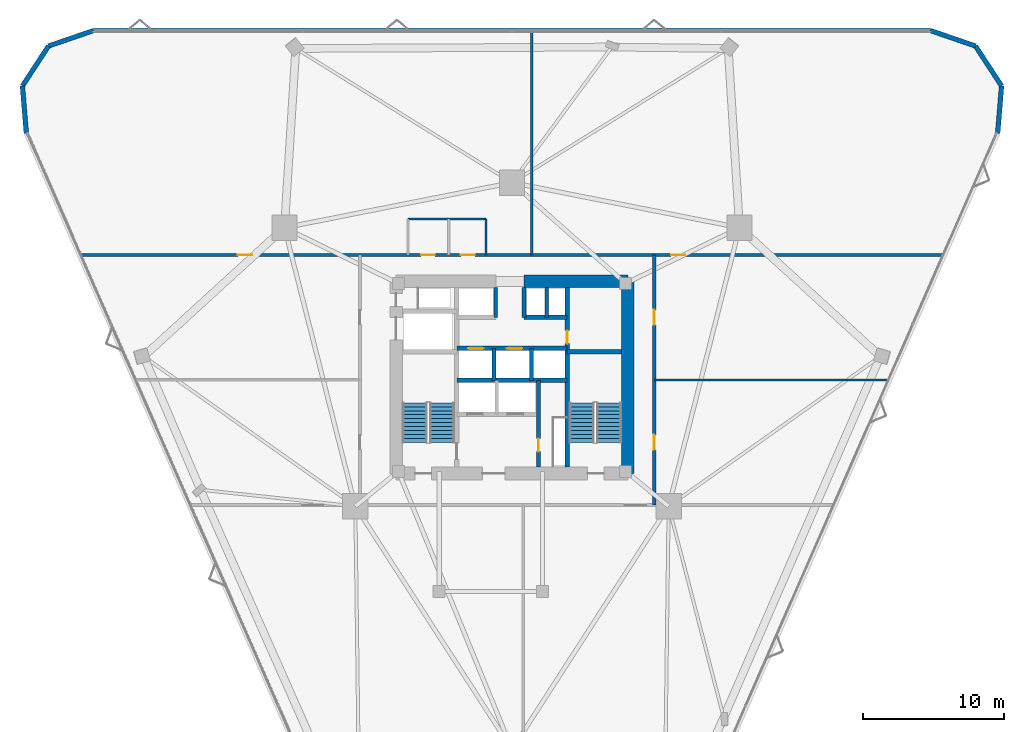
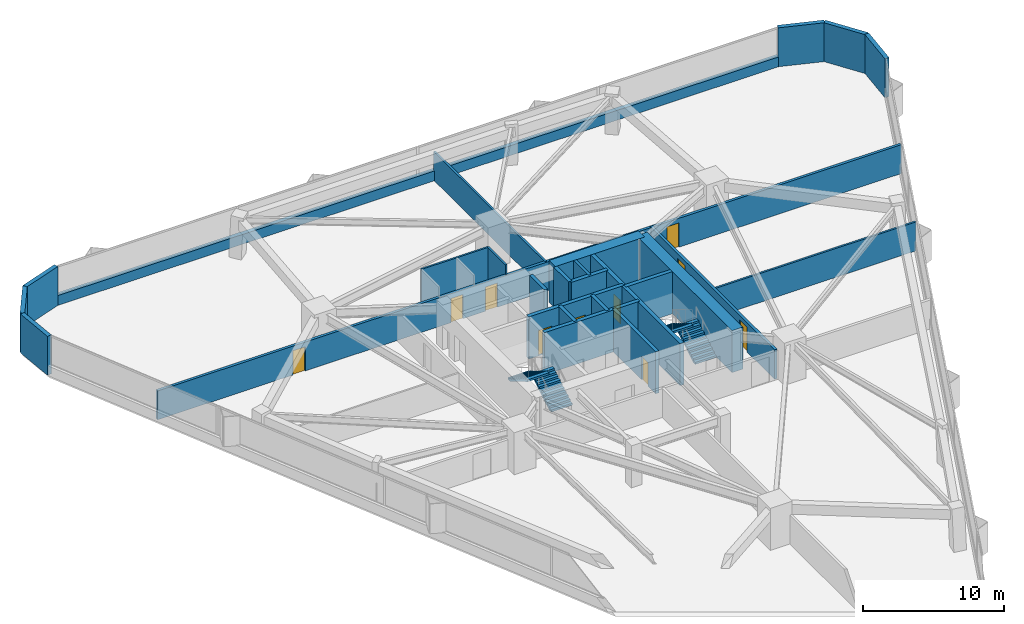
# One storey, part 19 of 20: 26 walls, 10 doors, 4 stair flights, 10 openings, 2 elements without a shape of their own.
"""IFC4 building model written with IfcOpenShell, lengths in metres."""

import ifcopenshell
import ifcopenshell.guid

model = None  # the IFC model being written
_history = None  # IfcOwnerHistory: only IFC2X3 demands one
_inside = {}  # id of a spatial element -> (the spatial element, [elements in it])
_under = {}  # id of a project, library or spatial element -> (it, [spatial elements below it])
_declared = {}  # id of a project -> (the project, [libraries it declares])
_typed = {}  # id of a type object -> (the type object, [elements of that type])
_made_of = {}  # id of a material, layer set ... -> (it, [elements and type objects made of it])


def new_model(schema):
    """Start an empty IFC model of exactly this schema.

    Asked for "IFC4X3", IfcOpenShell would pick the latest addendum, in which some entities
    have other attributes; the version numbers below select the first issue.
    IFC2X3 requires an IfcOwnerHistory on every rooted entity: one is made here for all.
    """
    global model, _history
    if schema == "IFC4X3":
        model = ifcopenshell.file(schema_version=(4, 3, 0, 0))
    else:
        model = ifcopenshell.file(schema=schema)
    _inside.clear()
    _under.clear()
    _declared.clear()
    _typed.clear()
    _made_of.clear()
    _history = None
    if model.schema == "IFC2X3":
        org = make("IfcOrganization", Name="unknown")
        user = make(
            "IfcPersonAndOrganization",
            ThePerson=make("IfcPerson", FamilyName="unknown"),
            TheOrganization=org,
        )
        app = make(
            "IfcApplication",
            ApplicationDeveloper=org,
            Version="unknown",
            ApplicationFullName="unknown",
            ApplicationIdentifier="unknown",
        )
        _history = make(
            "IfcOwnerHistory",
            OwningUser=user,
            OwningApplication=app,
            ChangeAction="ADDED",
            CreationDate=0,
        )
    return model


def make(cls, **values):
    """One entity of the class cls with the attributes given. An attribute that is None is left unset."""
    return model.create_entity(
        cls, **{name: value for name, value in values.items() if value is not None}
    )


def rooted(cls, **values):
    """An entity with a GlobalId (a new one), such as an element, a storey or a relation."""
    return make(cls, GlobalId=ifcopenshell.guid.new(), OwnerHistory=_history, **values)


def si_unit(unit_type, name, prefix=None):
    """IfcSIUnit, for example si_unit("LENGTHUNIT", "METRE", prefix="MILLI")."""
    return make("IfcSIUnit", UnitType=unit_type, Prefix=prefix, Name=name)


def assignment(units):
    """IfcUnitAssignment: the units of a project."""
    return None if units is None else make("IfcUnitAssignment", Units=units)


def point(xyz):
    """IfcCartesianPoint."""
    return None if xyz is None else make("IfcCartesianPoint", Coordinates=xyz)


def direction(xyz):
    """IfcDirection."""
    return None if xyz is None else make("IfcDirection", DirectionRatios=xyz)


def frame(location, z_axis=None, x_axis=None):
    """IfcAxis2Placement3D, a coordinate frame: its origin and axes. An axis left out is left unset."""
    return make(
        "IfcAxis2Placement3D",
        Location=point(location),
        Axis=direction(z_axis),
        RefDirection=direction(x_axis),
    )


def frame_2d(location, x_axis=None):
    """IfcAxis2Placement2D, a coordinate frame in the plane: its origin and x axis."""
    return make(
        "IfcAxis2Placement2D", Location=point(location), RefDirection=direction(x_axis)
    )


def origin():
    """The frame at (0, 0, 0) with its axes left unset."""
    return frame((0.0, 0.0, 0.0))


def place(relative_to, where):
    """IfcLocalPlacement: puts the frame where relative to a parent placement (None: the world)."""
    return make(
        "IfcLocalPlacement", PlacementRelTo=relative_to, RelativePlacement=where
    )


def context(
    kind, dimensions, precision=None, world=None, true_north=None, identifier=None
):
    """IfcGeometricRepresentationContext, for example the 3D "Model" context."""
    return make(
        "IfcGeometricRepresentationContext",
        ContextIdentifier=identifier,
        ContextType=kind,
        CoordinateSpaceDimension=dimensions,
        Precision=precision,
        WorldCoordinateSystem=world,
        TrueNorth=true_north,
    )


def subcontext(parent, identifier, kind, view, scale=None):
    """IfcGeometricRepresentationSubContext, for example "Body" below "Model"."""
    return make(
        "IfcGeometricRepresentationSubContext",
        ContextIdentifier=identifier,
        ContextType=kind,
        ParentContext=parent,
        TargetScale=scale,
        TargetView=view,
    )


def project(units=None, contexts=None):
    """IfcProject with its units and contexts."""
    return rooted(
        "IfcProject",
        Name="project",
        RepresentationContexts=contexts,
        UnitsInContext=assignment(units),
    )


def spatial(cls, under=None, at=None, **own):
    """A site, building, storey or space (cls), placed at a placement, below another one or the project."""
    s = rooted(cls, ObjectPlacement=at, **own)
    if under is not None:
        _under.setdefault(under.id(), (under, []))[1].append(s)
    return s


def polyline(points):
    """IfcPolyline through the points."""
    return make("IfcPolyline", Points=[point(p) for p in points])


def profile(cls, at=None, kind="AREA", **sizes):
    """A parametric profile (cls). Its sizes go by their IFC names, for example OverallWidth=200.0."""
    return make(cls, ProfileType=kind, Position=at, **sizes)


def rectangle(**sizes):
    """IfcRectangleProfileDef."""
    return profile("IfcRectangleProfileDef", **sizes)


def outline(outer, holes=None, kind="AREA"):
    """IfcArbitraryClosedProfileDef: a profile drawn as a closed curve; with holes, ...WithVoids."""
    if holes is None:
        return make("IfcArbitraryClosedProfileDef", ProfileType=kind, OuterCurve=outer)
    return make(
        "IfcArbitraryProfileDefWithVoids",
        ProfileType=kind,
        OuterCurve=outer,
        InnerCurves=holes,
    )


def extrude(swept, where, along, depth):
    """IfcExtrudedAreaSolid: the profile swept, set in the frame where, extruded along a direction by depth."""
    return make(
        "IfcExtrudedAreaSolid",
        SweptArea=swept,
        Position=where,
        ExtrudedDirection=direction(along),
        Depth=depth,
    )


def shape(context_of_items, identifier, shape_type, items):
    """IfcShapeRepresentation: the items that make up one representation, for example the "Body"."""
    return make(
        "IfcShapeRepresentation",
        ContextOfItems=context_of_items,
        RepresentationIdentifier=identifier,
        RepresentationType=shape_type,
        Items=items,
    )


def material(Name=None, Category=None):
    """IfcMaterial."""
    return make("IfcMaterial", Name=Name, Category=Category)


def layer(
    of_material, thickness, ventilated=None, Name=None, Category=None, Priority=None
):
    """IfcMaterialLayer: one layer of a wall or slab, of a material (None: an air gap)."""
    return make(
        "IfcMaterialLayer",
        Material=of_material,
        LayerThickness=thickness,
        IsVentilated=ventilated,
        Name=Name,
        Category=Category,
        Priority=Priority,
    )


def layer_set(layers, Name=None):
    """IfcMaterialLayerSet."""
    return make("IfcMaterialLayerSet", MaterialLayers=layers, LayerSetName=Name)


def made_of(thing, what):
    """Note that an element or type object is made of a material, layer set ...; save() writes the relation."""
    if what is not None:
        _made_of.setdefault(what.id(), (what, []))[1].append(thing)
    return thing


def type_object(cls, material=None, **own):
    """A type object (cls), such as IfcWallType, which elements share."""
    return made_of(rooted(cls, **own), material)


def element(
    cls,
    number,
    at=None,
    inside=None,
    cuts=None,
    type_object=None,
    material=None,
    context=None,
    identifier="Body",
    shape_type=None,
    held_by="IfcProductDefinitionShape",
    body=None,
    shapes=None,
    **own,
):
    """One element of the class cls, such as IfcWall. Its Tag is "e" and its number.

    at: its placement. inside: the storey or other place that contains it. cuts: it is an
    opening in that element (IfcRelVoidsElement). A single representation is given by context,
    identifier, shape_type and body (its items); several are given by shapes. held_by: the class
    of the entity that holds the representations. save() writes the other relations.
    """
    e = rooted(cls, Tag="e%d" % number, ObjectPlacement=at, **own)
    if body is not None:
        shapes = [shape(context, identifier, shape_type, body)]
    if shapes is not None:
        e.Representation = make(held_by, Representations=shapes)
    if inside is not None:
        _inside.setdefault(inside.id(), (inside, []))[1].append(e)
    if cuts is not None:
        rooted(
            "IfcRelVoidsElement", RelatingBuildingElement=cuts, RelatedOpeningElement=e
        )
    if type_object is not None:
        _typed.setdefault(type_object.id(), (type_object, []))[1].append(e)
    return made_of(e, material)


def fill(opening, filler):
    """IfcRelFillsElement: the door or window that sits in an opening."""
    return rooted(
        "IfcRelFillsElement",
        RelatingOpeningElement=opening,
        RelatedBuildingElement=filler,
    )


def aggregate(whole, parts):
    """IfcRelAggregates: a whole, such as a stair, and the parts it consists of."""
    return rooted("IfcRelAggregates", RelatingObject=whole, RelatedObjects=parts)


def save(model, path):
    """Write the relations noted so far, then the file.

    IfcRelAggregates (storeys below a building ...), IfcRelContainedInSpatialStructure (elements
    in a storey), IfcRelDefinesByType, IfcRelAssociatesMaterial and IfcRelDeclares: one each for
    every whole, place, type object, material and project.
    """
    for whole, parts in _under.values():
        aggregate(whole, parts)
    for where, things in _inside.values():
        rooted(
            "IfcRelContainedInSpatialStructure",
            RelatedElements=things,
            RelatingStructure=where,
        )
    for kind, things in _typed.values():
        rooted("IfcRelDefinesByType", RelatedObjects=things, RelatingType=kind)
    for what, things in _made_of.values():
        rooted("IfcRelAssociatesMaterial", RelatedObjects=things, RelatingMaterial=what)
    for by, libraries in _declared.values():
        rooted("IfcRelDeclares", RelatingContext=by, RelatedDefinitions=libraries)
    model.write(path)


model = new_model("IFC4")

# Units and contexts
model_context = context("Model", 3, precision=1e-05, world=origin(), true_north=direction((0.0, 1.0)))
body_context = subcontext(model_context, "Body", "Model", "MODEL_VIEW")
ifc_project = project(units=[si_unit("LENGTHUNIT", "METRE"), si_unit("AREAUNIT", "SQUARE_METRE"), si_unit("VOLUMEUNIT", "CUBIC_METRE"), si_unit("PLANEANGLEUNIT", "RADIAN"), si_unit("MASSUNIT", "GRAM", prefix="KILO")], contexts=[model_context])

# Site, building, storey
site_placement = place(None, origin())
site = spatial("IfcSite", under=ifc_project, at=site_placement, CompositionType="ELEMENT")
building_placement = place(site_placement, origin())
building = spatial("IfcBuilding", under=site, at=building_placement, Name="Talyreon Biosciences Tower", CompositionType="ELEMENT")
storey_placement = place(building_placement, frame((0.0, 0.0, 26.449951171875)))
storey = spatial("IfcBuildingStorey", under=building, at=storey_placement, Name="L06", CompositionType="ELEMENT", Elevation=26.449951171875)

# Walls
ifc_material_1 = material(Name="Concrete C50/60", Category="concrete")
ifc_layer_1 = layer(ifc_material_1, 0.219970703125)
ifc_layer_set_1 = layer_set([ifc_layer_1], Name="Concrete C50/60")
wall_type_1 = type_object("IfcWallType", Name="CoreShearWall_220", PredefinedType="SHEAR", material=ifc_layer_set_1)
wall_1_placement = place(storey_placement, frame((68.4599609375, 72.25, 0.0), z_axis=(0.0, 0.0, 1.0), x_axis=(0.0, 1.0, 0.0)))
element("IfcWall", 1, at=wall_1_placement, inside=storey, type_object=wall_type_1, Name="L06 Core Shaft Wall SWPHD", PredefinedType="SHEAR", context=body_context, shape_type="SweptSolid", body=[
    extrude(rectangle(XDim=2.10009765625, YDim=0.219970703125, at=frame_2d((1.050048828125, 0.0))), origin(), (0.0, 0.0, 1.0), 3.650146484375),
])
ifc_layer_2 = layer(ifc_material_1, 0.280029296875)
ifc_layer_set_2 = layer_set([ifc_layer_2], Name="Concrete C50/60")
wall_type_2 = type_object("IfcWallType", Name="CoreShearWall_280", PredefinedType="SHEAR", material=ifc_layer_set_2)
for number, where, z_axis, x_axis, name in (
    (2, (64.85009765625, 72.25, 0.0), (0.0, 0.0, 1.0), (0.0, 1.0, 0.0), "L06 Core Shaft Wall SWTHW"),
    (3, (66.85009765625, 72.25, 0.0), (0.0, 0.0, 1.0), (0.0, 1.0, 0.0), "L06 Core Shaft Wall SWTHE"),
):
    element("IfcWall", number, at=place(storey_placement, frame(where, z_axis=z_axis, x_axis=x_axis)), inside=storey, type_object=wall_type_2, Name=name, PredefinedType="SHEAR", context=body_context, shape_type="SweptSolid", body=[
        extrude(rectangle(XDim=2.10009765625, YDim=0.280029296875, at=frame_2d((1.050048828125, 0.0))), origin(), (0.0, 0.0, 1.0), 3.650146484375),
    ])

# Wall, opening, door
wall_2_placement = place(storey_placement, frame((67.8798828125, 61.64990234375, 0.0), z_axis=(0.0, 0.0, 1.0), x_axis=(0.0, 1.0, 0.0)))
wall_2 = element("IfcWall", 4, at=wall_2_placement, inside=storey, type_object=wall_type_2, Name="L06 Core Shaft Wall SWFFE", PredefinedType="SHEAR", context=body_context, shape_type="SweptSolid", body=[
    extrude(rectangle(XDim=6.150146484375, YDim=0.280029296875, at=frame_2d((3.0751953125, 0.0))), origin(), (0.0, 0.0, 1.0), 3.650146484375),
])
opening_1_placement = place(wall_2_placement, frame((1.10009765625, 0.0, 0.0)))
opening_1 = element("IfcOpeningElement", 5, at=opening_1_placement, cuts=wall_2, Name="Opening DR-L06-RSE", PredefinedType="OPENING", context=body_context, shape_type="SweptSolid", body=[
    extrude(rectangle(XDim=0.919921875, YDim=2.050048828125, at=frame_2d((0.4599609375, 1.02490234375))), frame((0.0, 0.14990234375, 0.0), z_axis=(0.0, -1.0, 0.0), x_axis=(1.0, 0.0, 0.0)), (0.0, 0.0, 1.0), 0.300048828125),
])
ifc_material_2 = material(Name="Painted steel fire-rated riser door", Category="steel")
door_type_1 = type_object("IfcDoorType", Name="RiserPlantAccessDoor_920x2050", OperationType="NOTDEFINED", PredefinedType="DOOR", material=ifc_material_2)
door_1_placement = place(opening_1_placement, origin())
door_1 = element("IfcDoor", 6, at=door_1_placement, inside=storey, type_object=door_type_1, Name="L06 Core Door DR-L06-RSE", OperationType="SINGLE_SWING_RIGHT", OverallHeight=2.050048828125, OverallWidth=0.919921875, PredefinedType="DOOR", context=body_context, shape_type="SweptSolid", body=[
    extrude(rectangle(XDim=0.919921875, YDim=2.050048828125, at=frame_2d((0.4599609375, 1.02490234375))), frame((0.0, 0.02490234375, 0.0), z_axis=(0.0, -1.0, 0.0), x_axis=(1.0, 0.0, 0.0)), (0.0, 0.0, 1.0), 0.050048828125),
])
fill(opening_1, door_1)

# Walls
for number, where, z_axis, x_axis, name in (
    (7, (64.719970703125, 67.800048828125, 0.0), (0.0, 0.0, 1.0), (0.0, 1.0, 0.0), "L06 Core Shaft Wall SWPLD"),
    (8, (67.3798828125, 67.800048828125, 0.0), (0.0, 0.0, 1.0), (0.0, 1.0, 0.0), "L06 Core Shaft Wall SWPMD"),
):
    element("IfcWall", number, at=place(storey_placement, frame(where, z_axis=z_axis, x_axis=x_axis)), inside=storey, type_object=wall_type_2, Name=name, PredefinedType="SHEAR", context=body_context, shape_type="SweptSolid", body=[
        extrude(rectangle(XDim=2.25, YDim=0.280029296875, at=frame_2d((1.125, 0.0))), origin(), (0.0, 0.0, 1.0), 3.650146484375),
    ])

# Wall, opening, door
ifc_layer_3 = layer(ifc_material_1, 0.320068359375)
ifc_layer_set_3 = layer_set([ifc_layer_3], Name="Concrete C50/60")
wall_type_3 = type_object("IfcWallType", Name="CoreShearWall_320", PredefinedType="SHEAR", material=ifc_layer_set_3)
wall_3_placement = place(storey_placement, frame((69.909912109375, 61.64990234375, 0.0), z_axis=(0.0, 0.0, 1.0), x_axis=(0.0, 1.0, 0.0)))
wall_3 = element("IfcWall", 9, at=wall_3_placement, inside=storey, type_object=wall_type_3, Name="L06 Core Shaft Wall SW2W", PredefinedType="SHEAR", context=body_context, shape_type="SweptSolid", body=[
    extrude(rectangle(XDim=12.7001953125, YDim=0.320068359375, at=frame_2d((6.35009765625, 0.0))), origin(), (0.0, 0.0, 1.0), 3.650146484375),
])
opening_2_placement = place(wall_3_placement, frame((8.75, 0.0, 0.0)))
opening_2 = element("IfcOpeningElement", 10, at=opening_2_placement, cuts=wall_3, Name="Opening DR-L06-CSRV", PredefinedType="OPENING", context=body_context, shape_type="SweptSolid", body=[
    extrude(rectangle(XDim=0.919921875, YDim=2.050048828125, at=frame_2d((0.4599609375, 1.02490234375))), frame((0.0, 0.169921875, 0.0), z_axis=(0.0, -1.0, 0.0), x_axis=(1.0, 0.0, 0.0)), (0.0, 0.0, 1.0), 0.340087890625),
])
door_2_placement = place(opening_2_placement, origin())
door_2 = element("IfcDoor", 11, at=door_2_placement, inside=storey, type_object=door_type_1, Name="L06 Core Door DR-L06-CSRV", OperationType="SINGLE_SWING_RIGHT", OverallHeight=2.050048828125, OverallWidth=0.919921875, PredefinedType="DOOR", context=body_context, shape_type="SweptSolid", body=[
    extrude(rectangle(XDim=0.919921875, YDim=2.050048828125, at=frame_2d((0.4599609375, 1.02490234375))), frame((0.0, 0.02490234375, 0.0), z_axis=(0.0, -1.0, 0.0), x_axis=(1.0, 0.0, 0.0)), (0.0, 0.0, 1.0), 0.050048828125),
])
fill(opening_2, door_2)

# Walls
wall_4_placement = place(storey_placement, frame((69.909912109375, 69.81005859375, 0.0), z_axis=(0.0, 0.0, 1.0), x_axis=(1.0, 0.0, 0.0)))
element("IfcWall", 12, at=wall_4_placement, inside=storey, type_object=wall_type_3, Name="L06 Core Shaft Wall SW2N", PredefinedType="SHEAR", context=body_context, shape_type="SweptSolid", body=[
    extrude(rectangle(XDim=3.840087890625, YDim=0.320068359375, at=frame_2d((1.919921875, 0.0))), origin(), (0.0, 0.0, 1.0), 3.650146484375),
])
wall_5_placement = place(storey_placement, frame((62.090087890625, 67.800048828125, 0.0), z_axis=(0.0, 0.0, 1.0), x_axis=(1.0, 0.0, 0.0)))
element("IfcWall", 13, at=wall_5_placement, inside=storey, type_object=wall_type_3, Name="L06 Core Shaft Wall SWSHM", PredefinedType="SHEAR", context=body_context, shape_type="SweptSolid", body=[
    extrude(rectangle(XDim=7.81982421875, YDim=0.320068359375, at=frame_2d((3.909912109375, 0.0))), origin(), (0.0, 0.0, 1.0), 3.650146484375),
])

# Wall, openings, doors
wall_6_placement = place(storey_placement, frame((62.090087890625, 70.050048828125, 0.0), z_axis=(0.0, 0.0, 1.0), x_axis=(1.0, 0.0, 0.0)))
wall_6 = element("IfcWall", 14, at=wall_6_placement, inside=storey, type_object=wall_type_3, Name="L06 Core Shaft Wall SWSPN", PredefinedType="SHEAR", context=body_context, shape_type="SweptSolid", body=[
    extrude(rectangle(XDim=7.81982421875, YDim=0.320068359375, at=frame_2d((3.909912109375, 0.0))), origin(), (0.0, 0.0, 1.0), 3.650146484375),
])
opening_3_placement = place(wall_6_placement, frame((0.800048828125, 0.0, 0.0)))
opening_3 = element("IfcOpeningElement", 15, at=opening_3_placement, cuts=wall_6, Name="Opening LD-L06-PL1", PredefinedType="OPENING", context=body_context, shape_type="SweptSolid", body=[
    extrude(rectangle(XDim=1.10009765625, YDim=2.199951171875, at=frame_2d((0.550048828125, 1.10009765625))), frame((0.0, 0.169921875, 0.0), z_axis=(0.0, -1.0, 0.0), x_axis=(1.0, 0.0, 0.0)), (0.0, 0.0, 1.0), 0.340087890625),
])
opening_4_placement = place(wall_6_placement, frame((3.550048828125, 0.0, 0.0)))
opening_4 = element("IfcOpeningElement", 16, at=opening_4_placement, cuts=wall_6, Name="Opening LD-L06-PL2", PredefinedType="OPENING", context=body_context, shape_type="SweptSolid", body=[
    extrude(rectangle(XDim=1.10009765625, YDim=2.199951171875, at=frame_2d((0.550048828125, 1.10009765625))), frame((0.0, 0.169921875, 0.0), z_axis=(0.0, -1.0, 0.0), x_axis=(1.0, 0.0, 0.0)), (0.0, 0.0, 1.0), 0.340087890625),
])
ifc_material_3 = material(Name="Brushed stainless-steel lift landing door", Category="steel")
door_type_2 = type_object("IfcDoorType", Name="LiftSlidingLandingDoor_1100x2200", OperationType="SLIDING_TO_LEFT", PredefinedType="DOOR", material=ifc_material_3)
door_3_placement = place(opening_3_placement, origin())
door_3 = element("IfcDoor", 17, at=door_3_placement, inside=storey, type_object=door_type_2, Name="L06 Core Door LD-L06-PL1", OperationType="SLIDING_TO_LEFT", OverallHeight=2.199951171875, OverallWidth=1.10009765625, PredefinedType="DOOR", context=body_context, shape_type="SweptSolid", body=[
    extrude(rectangle(XDim=1.10009765625, YDim=2.199951171875, at=frame_2d((0.550048828125, 1.10009765625))), frame((0.0, 0.02490234375, 0.0), z_axis=(0.0, -1.0, 0.0), x_axis=(1.0, 0.0, 0.0)), (0.0, 0.0, 1.0), 0.050048828125),
])
fill(opening_3, door_3)
door_4_placement = place(opening_4_placement, origin())
door_4 = element("IfcDoor", 18, at=door_4_placement, inside=storey, type_object=door_type_2, Name="L06 Core Door LD-L06-PL2", OperationType="SLIDING_TO_LEFT", OverallHeight=2.199951171875, OverallWidth=1.10009765625, PredefinedType="DOOR", context=body_context, shape_type="SweptSolid", body=[
    extrude(rectangle(XDim=1.10009765625, YDim=2.199951171875, at=frame_2d((0.550048828125, 1.10009765625))), frame((0.0, 0.02490234375, 0.0), z_axis=(0.0, -1.0, 0.0), x_axis=(1.0, 0.0, 0.0)), (0.0, 0.0, 1.0), 0.050048828125),
])
fill(opening_4, door_4)

# Walls
wall_7_placement = place(storey_placement, frame((66.85009765625, 72.25, 0.0), z_axis=(0.0, 0.0, 1.0), x_axis=(1.0, 0.0, 0.0)))
element("IfcWall", 19, at=wall_7_placement, inside=storey, type_object=wall_type_3, Name="L06 Core Shaft Wall SWNPE", PredefinedType="SHEAR", context=body_context, shape_type="SweptSolid", body=[
    extrude(rectangle(XDim=3.059814453125, YDim=0.320068359375, at=frame_2d((1.52978515625, 0.0))), origin(), (0.0, 0.0, 1.0), 3.650146484375),
])
ifc_material_4 = material(Name="Concrete C60/75", Category="concrete")
ifc_layer_4 = layer(ifc_material_4, 0.89990234375)
ifc_layer_set_4 = layer_set([ifc_layer_4], Name="Concrete C60/75")
wall_type_4 = type_object("IfcWallType", Name="CoreShearWall_900", PredefinedType="SHEAR", material=ifc_layer_set_4)
wall_8_placement = place(storey_placement, frame((74.199951171875, 61.199951171875, 0.0), z_axis=(0.0, 0.0, 1.0), x_axis=(0.0, 1.0, 0.0)))
element("IfcWall", 20, at=wall_8_placement, inside=storey, type_object=wall_type_4, Name="L06 Core Shear Wall E", PredefinedType="SHEAR", context=body_context, shape_type="SweptSolid", body=[
    extrude(rectangle(XDim=13.60009765625, YDim=0.89990234375, at=frame_2d((6.800048828125, 0.0))), origin(), (0.0, 0.0, 1.0), 3.650146484375),
])
wall_9_placement = place(storey_placement, frame((74.199951171875, 74.800048828125, 0.0), z_axis=(0.0, 0.0, 1.0), x_axis=(-1.0, 0.0, 0.0)))
element("IfcWall", 21, at=wall_9_placement, inside=storey, type_object=wall_type_4, Name="L06 Core Shear Wall NE", PredefinedType="SHEAR", context=body_context, shape_type="SweptSolid", body=[
    extrude(rectangle(XDim=7.349853515625, YDim=0.89990234375, at=frame_2d((3.6748046875, 0.0))), origin(), (0.0, 0.0, 1.0), 3.650146484375),
])

# Wall, openings, doors
ifc_material_5 = material(Name="Gypsum fireboard acoustic stud", Category="gypsum")
ifc_layer_5 = layer(ifc_material_5, 0.219970703125)
ifc_layer_set_5 = layer_set([ifc_layer_5], Name="Gypsum fireboard acoustic stud")
wall_type_5 = type_object("IfcWallType", Name="CorridorRatedPartition_220", PredefinedType="PARTITIONING", material=ifc_layer_set_5)
wall_10_placement = place(storey_placement, frame((35.485595703125, 76.669921875, 0.0), z_axis=(0.0, 0.0, 1.0), x_axis=(1.0, 0.0, 0.0)))
wall_10 = element("IfcWall", 22, at=wall_10_placement, inside=storey, type_object=wall_type_5, Name="L06 Interior Wall IW-L06-COR-N", PredefinedType="PARTITIONING", context=body_context, shape_type="SweptSolid", body=[
    extrude(rectangle(XDim=61.02880859375, YDim=0.219970703125, at=frame_2d((30.514404296875, 0.0))), origin(), (0.0, 0.0, 1.0), 2.505126953125),
])
opening_5_placement = place(wall_10_placement, frame((24.073974609375, 0.0, 0.0)))
opening_5 = element("IfcOpeningElement", 23, at=opening_5_placement, cuts=wall_10, Name="Opening DR-L06-WC", PredefinedType="OPENING", context=body_context, shape_type="SweptSolid", body=[
    extrude(rectangle(XDim=0.97998046875, YDim=2.10009765625, at=frame_2d((0.489990234375, 1.050048828125))), frame((0.0, 0.119873046875, 0.0), z_axis=(0.0, -1.0, 0.0), x_axis=(1.0, 0.0, 0.0)), (0.0, 0.0, 1.0), 0.239990234375),
])
opening_6_placement = place(wall_10_placement, frame((26.89892578125, 0.0, 0.0)))
opening_6 = element("IfcOpeningElement", 24, at=opening_6_placement, cuts=wall_10, Name="Opening DR-L06-AWC", PredefinedType="OPENING", context=body_context, shape_type="SweptSolid", body=[
    extrude(rectangle(XDim=0.97998046875, YDim=2.10009765625, at=frame_2d((0.489990234375, 1.050048828125))), frame((0.0, 0.119873046875, 0.0), z_axis=(0.0, -1.0, 0.0), x_axis=(1.0, 0.0, 0.0)), (0.0, 0.0, 1.0), 0.239990234375),
])
opening_7_placement = place(wall_10_placement, frame((11.116943359375, 0.0, 0.0)))
opening_7 = element("IfcOpeningElement", 25, at=opening_7_placement, cuts=wall_10, Name="Opening DR-L06-N1A", PredefinedType="OPENING", context=body_context, shape_type="SweptSolid", body=[
    extrude(rectangle(XDim=1.0, YDim=2.10009765625, at=frame_2d((0.5, 1.050048828125))), frame((0.0, 0.119873046875, 0.0), z_axis=(0.0, -1.0, 0.0), x_axis=(1.0, 0.0, 0.0)), (0.0, 0.0, 1.0), 0.239990234375),
])
opening_8_placement = place(wall_10_placement, frame((41.782958984375, 0.0, 0.0)))
opening_8 = element("IfcOpeningElement", 26, at=opening_8_placement, cuts=wall_10, Name="Opening DR-L06-N2A", PredefinedType="OPENING", context=body_context, shape_type="SweptSolid", body=[
    extrude(rectangle(XDim=1.0, YDim=2.10009765625, at=frame_2d((0.5, 1.050048828125))), frame((0.0, 0.119873046875, 0.0), z_axis=(0.0, -1.0, 0.0), x_axis=(1.0, 0.0, 0.0)), (0.0, 0.0, 1.0), 0.239990234375),
])
ifc_material_6 = material(Name="Laminate moisture-resistant door", Category="wood")
door_type_3 = type_object("IfcDoorType", Name="AccessibleToiletDoor_980x2100", OperationType="NOTDEFINED", PredefinedType="DOOR", material=ifc_material_6)
door_5_placement = place(opening_5_placement, origin())
door_5 = element("IfcDoor", 27, at=door_5_placement, inside=storey, type_object=door_type_3, Name="L06 Interior Door DR-L06-WC", OperationType="SINGLE_SWING_LEFT", OverallHeight=2.10009765625, OverallWidth=0.97998046875, PredefinedType="DOOR", context=body_context, shape_type="SweptSolid", body=[
    extrude(rectangle(XDim=0.97998046875, YDim=2.10009765625, at=frame_2d((0.489990234375, 1.050048828125))), frame((0.0, 0.02490234375, 0.0), z_axis=(0.0, -1.0, 0.0), x_axis=(1.0, 0.0, 0.0)), (0.0, 0.0, 1.0), 0.050048828125),
])
fill(opening_5, door_5)
door_6_placement = place(opening_6_placement, origin())
door_6 = element("IfcDoor", 28, at=door_6_placement, inside=storey, type_object=door_type_3, Name="L06 Interior Door DR-L06-AWC", OperationType="SINGLE_SWING_RIGHT", OverallHeight=2.10009765625, OverallWidth=0.97998046875, PredefinedType="DOOR", context=body_context, shape_type="SweptSolid", body=[
    extrude(rectangle(XDim=0.97998046875, YDim=2.10009765625, at=frame_2d((0.489990234375, 1.050048828125))), frame((0.0, 0.02490234375, 0.0), z_axis=(0.0, -1.0, 0.0), x_axis=(1.0, 0.0, 0.0)), (0.0, 0.0, 1.0), 0.050048828125),
])
fill(opening_6, door_6)
ifc_material_7 = material(Name="Acoustic oak veneer office door", Category="wood")
door_type_4 = type_object("IfcDoorType", Name="WriteupOfficeDoor_1000x2100", OperationType="NOTDEFINED", PredefinedType="DOOR", material=ifc_material_7)
door_7_placement = place(opening_7_placement, origin())
door_7 = element("IfcDoor", 29, at=door_7_placement, inside=storey, type_object=door_type_4, Name="L06 Interior Door DR-L06-N1A", OperationType="SINGLE_SWING_RIGHT", OverallHeight=2.10009765625, OverallWidth=1.0, PredefinedType="DOOR", context=body_context, shape_type="SweptSolid", body=[
    extrude(rectangle(XDim=1.0, YDim=2.10009765625, at=frame_2d((0.5, 1.050048828125))), frame((0.0, 0.02490234375, 0.0), z_axis=(0.0, -1.0, 0.0), x_axis=(1.0, 0.0, 0.0)), (0.0, 0.0, 1.0), 0.050048828125),
])
fill(opening_7, door_7)
door_8_placement = place(opening_8_placement, origin())
door_8 = element("IfcDoor", 30, at=door_8_placement, inside=storey, type_object=door_type_4, Name="L06 Interior Door DR-L06-N2A", OperationType="SINGLE_SWING_LEFT", OverallHeight=2.10009765625, OverallWidth=1.0, PredefinedType="DOOR", context=body_context, shape_type="SweptSolid", body=[
    extrude(rectangle(XDim=1.0, YDim=2.10009765625, at=frame_2d((0.5, 1.050048828125))), frame((0.0, 0.02490234375, 0.0), z_axis=(0.0, -1.0, 0.0), x_axis=(1.0, 0.0, 0.0)), (0.0, 0.0, 1.0), 0.050048828125),
])
fill(opening_8, door_8)

wall_11_placement = place(storey_placement, frame((76.070068359375, 58.97998046875, 0.0), z_axis=(0.0, 0.0, 1.0), x_axis=(0.0, 1.0, 0.0)))
wall_11 = element("IfcWall", 31, at=wall_11_placement, inside=storey, type_object=wall_type_5, Name="L06 Interior Wall IW-L06-COR-E", PredefinedType="PARTITIONING", context=body_context, shape_type="SweptSolid", body=[
    extrude(rectangle(XDim=17.68994140625, YDim=0.219970703125, at=frame_2d((8.844970703125, 0.0))), origin(), (0.0, 0.0, 1.0), 2.554931640625),
])
opening_9_placement = place(wall_11_placement, frame((3.89794921875, 0.0, 0.0)))
opening_9 = element("IfcOpeningElement", 32, at=opening_9_placement, cuts=wall_11, Name="Opening DR-L06-E1A", PredefinedType="OPENING", context=body_context, shape_type="SweptSolid", body=[
    extrude(rectangle(XDim=1.050048828125, YDim=2.14990234375, at=frame_2d((0.52490234375, 1.074951171875))), frame((0.0, 0.119873046875, 0.0), z_axis=(0.0, -1.0, 0.0), x_axis=(1.0, 0.0, 0.0)), (0.0, 0.0, 1.0), 0.239990234375),
])
opening_10_placement = place(wall_11_placement, frame((12.742919921875, 0.0, 0.0)))
opening_10 = element("IfcOpeningElement", 33, at=opening_10_placement, cuts=wall_11, Name="Opening DR-L06-E2A", PredefinedType="OPENING", context=body_context, shape_type="SweptSolid", body=[
    extrude(rectangle(XDim=1.050048828125, YDim=2.14990234375, at=frame_2d((0.52490234375, 1.074951171875))), frame((0.0, 0.119873046875, 0.0), z_axis=(0.0, -1.0, 0.0), x_axis=(1.0, 0.0, 0.0)), (0.0, 0.0, 1.0), 0.239990234375),
])
ifc_material_8 = material(Name="Acoustic timber-core laboratory door", Category="wood")
door_type_5 = type_object("IfcDoorType", Name="DryLabSingleDoor_1050x2150", OperationType="NOTDEFINED", PredefinedType="DOOR", material=ifc_material_8)
door_9_placement = place(opening_9_placement, origin())
door_9 = element("IfcDoor", 34, at=door_9_placement, inside=storey, type_object=door_type_5, Name="L06 Interior Door DR-L06-E1A", OperationType="SINGLE_SWING_RIGHT", OverallHeight=2.14990234375, OverallWidth=1.050048828125, PredefinedType="DOOR", context=body_context, shape_type="SweptSolid", body=[
    extrude(rectangle(XDim=1.050048828125, YDim=2.14990234375, at=frame_2d((0.52490234375, 1.074951171875))), frame((0.0, 0.02490234375, 0.0), z_axis=(0.0, -1.0, 0.0), x_axis=(1.0, 0.0, 0.0)), (0.0, 0.0, 1.0), 0.050048828125),
])
fill(opening_9, door_9)
door_10_placement = place(opening_10_placement, origin())
door_10 = element("IfcDoor", 35, at=door_10_placement, inside=storey, type_object=door_type_5, Name="L06 Interior Door DR-L06-E2A", OperationType="SINGLE_SWING_RIGHT", OverallHeight=2.14990234375, OverallWidth=1.050048828125, PredefinedType="DOOR", context=body_context, shape_type="SweptSolid", body=[
    extrude(rectangle(XDim=1.050048828125, YDim=2.14990234375, at=frame_2d((0.52490234375, 1.074951171875))), frame((0.0, 0.02490234375, 0.0), z_axis=(0.0, -1.0, 0.0), x_axis=(1.0, 0.0, 0.0)), (0.0, 0.0, 1.0), 0.050048828125),
])
fill(opening_10, door_10)

# Walls
ifc_material_9 = material(Name="Gypsum acoustic stud partition", Category="gypsum")
ifc_layer_6 = layer(ifc_material_9, 0.159912109375)
ifc_layer_set_6 = layer_set([ifc_layer_6], Name="Gypsum acoustic stud partition")
wall_type_6 = type_object("IfcWallType", Name="LabSeparationPartition_160", PredefinedType="PARTITIONING", material=ifc_layer_set_6)
wall_12_placement = place(storey_placement, frame((67.39990234375, 76.669921875, 0.0), z_axis=(0.0, 0.0, 1.0), x_axis=(0.0, 1.0, 0.0)))
element("IfcWall", 36, at=wall_12_placement, inside=storey, type_object=wall_type_6, Name="L06 Interior Wall IW-L06-NDIV1", PredefinedType="PARTITIONING", context=body_context, shape_type="SweptSolid", body=[
    extrude(rectangle(XDim=15.79931640625, YDim=0.159912109375, at=frame_2d((7.899658203125, 0.0))), origin(), (0.0, 0.0, 1.0), 2.505126953125),
])
wall_13_placement = place(storey_placement, frame((76.070068359375, 67.824951171875, 0.0), z_axis=(0.0, 0.0, 1.0), x_axis=(1.0, 0.0, 0.0)))
element("IfcWall", 37, at=wall_13_placement, inside=storey, type_object=wall_type_6, Name="L06 Interior Wall IW-L06-EDIV1", PredefinedType="PARTITIONING", context=body_context, shape_type="SweptSolid", body=[
    extrude(rectangle(XDim=16.568603515625, YDim=0.159912109375, at=frame_2d((8.2841796875, 0.0))), origin(), (0.0, 0.0, 1.0), 2.505126953125),
])
ifc_material_10 = material(Name="Precast concrete C45/55", Category="concrete")
ifc_layer_7 = layer(ifc_material_10, 0.340087890625)
ifc_layer_set_7 = layer_set([ifc_layer_7], Name="Precast concrete C45/55")
wall_type_7 = type_object("IfcWallType", Name="PrecastConcreteSpandrelWall_340", PredefinedType="STANDARD", material=ifc_layer_set_7)
for number, where, z_axis, x_axis, name in (
    (38, (31.62548828125, 85.267333984375, 0.0), (0.0, 0.0, 1.0), (-0.082219589929, 0.996614237823, 0.0), "L06 Rounded-Corner Concrete Pier 01"),
    (39, (31.347900390625, 88.632080078125, 0.0), (0.0, 0.0, 1.0), (0.547101286482, 0.837066414527, 0.0), "L06 Rounded-Corner Concrete Pier 02"),
    (40, (33.195068359375, 91.458251953125, 0.0), (0.0, 0.0, 1.0), (0.945847654718, 0.324610865599, 0.0), "L06 Rounded-Corner Concrete Pier 03"),
):
    element("IfcWall", number, at=place(storey_placement, frame(where, z_axis=z_axis, x_axis=x_axis)), inside=storey, type_object=wall_type_7, Name=name, PredefinedType="STANDARD", context=body_context, shape_type="SweptSolid", body=[
        extrude(rectangle(XDim=3.376220703125, YDim=0.340087890625, at=frame_2d((1.68798828125, 0.0))), origin(), (0.0, 0.0, 1.0), 3.375),
    ])
wall_14_placement = place(storey_placement, frame((36.388427734375, 92.55419921875, 0.0), z_axis=(0.0, 0.0, 1.0), x_axis=(1.0, 0.0, 0.0)))
element("IfcWall", 41, at=wall_14_placement, inside=storey, type_object=wall_type_7, Name="L06 Expressed Concrete Sill Wall 04", PredefinedType="STANDARD", context=body_context, shape_type="SweptSolid", body=[
    extrude(rectangle(XDim=59.22314453125, YDim=0.340087890625, at=frame_2d((29.611572265625, 0.0))), origin(), (0.0, 0.0, 1.0), 0.85009765625),
])
for number, where, z_axis, x_axis, name in (
    (42, (95.611572265625, 92.55419921875, 0.0), (0.0, 0.0, 1.0), (0.945847654718, -0.324610865599, 0.0), "L06 Rounded-Corner Concrete Pier 05"),
    (43, (98.804931640625, 91.458251953125, 0.0), (0.0, 0.0, 1.0), (0.547101286482, -0.837066414527, 0.0), "L06 Rounded-Corner Concrete Pier 06"),
    (44, (100.652099609375, 88.632080078125, 0.0), (0.0, 0.0, 1.0), (-0.082219589929, -0.996614237823, 0.0), "L06 Rounded-Corner Concrete Pier 07"),
):
    element("IfcWall", number, at=place(storey_placement, frame(where, z_axis=z_axis, x_axis=x_axis)), inside=storey, type_object=wall_type_7, Name=name, PredefinedType="STANDARD", context=body_context, shape_type="SweptSolid", body=[
        extrude(rectangle(XDim=3.376220703125, YDim=0.340087890625, at=frame_2d((1.68798828125, 0.0))), origin(), (0.0, 0.0, 1.0), 3.375),
    ])
ifc_material_11 = material(Name="Moisture-resistant cement-board stud", Category="gypsum")
ifc_layer_8 = layer(ifc_material_11, 0.14501953125)
ifc_layer_set_8 = layer_set([ifc_layer_8], Name="Moisture-resistant cement-board stud")
wall_type_8 = type_object("IfcWallType", Name="WetRoomPartition_145", PredefinedType="PARTITIONING", material=ifc_layer_set_8)
wall_15_placement = place(storey_placement, frame((64.14990234375, 76.669921875, 0.0), z_axis=(0.0, 0.0, 1.0), x_axis=(0.0, 1.0, 0.0)))
element("IfcWall", 45, at=wall_15_placement, inside=storey, type_object=wall_type_8, Name="L06 Interior Wall IW-L06-WCR", PredefinedType="PARTITIONING", context=body_context, shape_type="SweptSolid", body=[
    extrude(rectangle(XDim=2.550048828125, YDim=0.14501953125, at=frame_2d((1.27490234375, 0.0))), origin(), (0.0, 0.0, 1.0), 3.375),
])
wall_16_placement = place(storey_placement, frame((58.64990234375, 79.219970703125, 0.0), z_axis=(0.0, 0.0, 1.0), x_axis=(1.0, 0.0, 0.0)))
element("IfcWall", 46, at=wall_16_placement, inside=storey, type_object=wall_type_8, Name="L06 Interior Wall IW-L06-WCT", PredefinedType="PARTITIONING", context=body_context, shape_type="SweptSolid", body=[
    extrude(rectangle(XDim=5.5, YDim=0.14501953125, at=frame_2d((2.75, 0.0))), origin(), (0.0, 0.0, 1.0), 3.375),
])

# Stair, stair flights
ifc_material_12 = material(Name="Concrete C40/50", Category="concrete")
stair_type = type_object("IfcStairType", Name="DoglegEscapeStair_3650", PredefinedType="HALF_TURN_STAIR", material=ifc_material_12)
stair_1_placement = place(storey_placement, origin())
stair_1 = element("IfcStair", 47, at=stair_1_placement, inside=storey, type_object=stair_type, Name="L06 Core Escape Stair 1", PredefinedType="HALF_TURN_STAIR")
stair_flight_type = type_object("IfcStairFlightType", Name="PrecastStairFlight_3650", PredefinedType="STRAIGHT", material=ifc_material_12)
stair_flight_1_placement = place(storey_placement, frame((61.06005859375, 63.39990234375, 0.0), z_axis=(0.0, 0.0, 1.0), x_axis=(0.0, 1.0, 0.0)))
stair_flight_1 = element("IfcStairFlight", 48, at=stair_flight_1_placement, type_object=stair_flight_type, Name="ST-1 flight 1", NumberOfRisers=11, NumberOfTreads=10, PredefinedType="STRAIGHT", RiserHeight=0.165909091, TreadLength=0.28, context=body_context, shape_type="SweptSolid", body=[
    extrude(outline(polyline([(0.0, 0.0), (0.0, 0.166015625), (0.280029296875, 0.166015625), (0.280029296875, 0.331787109375), (0.56005859375, 0.331787109375), (0.56005859375, 0.497802734375), (0.840087890625, 0.497802734375), (0.840087890625, 0.66357421875), (1.1201171875, 0.66357421875), (1.1201171875, 0.82958984375), (1.39990234375, 0.82958984375), (1.39990234375, 0.995361328125), (1.679931640625, 0.995361328125), (1.679931640625, 1.161376953125), (1.9599609375, 1.161376953125), (1.9599609375, 1.327392578125), (2.239990234375, 1.327392578125), (2.239990234375, 1.4931640625), (2.52001953125, 1.4931640625), (2.52001953125, 1.6591796875), (2.800048828125, 1.6591796875), (2.800048828125, 1.824951171875), (2.800048828125, 1.48486328125), (0.2939453125, 0.0), (0.0, 0.0)])), frame((0.0, 0.8701171875, 0.0), z_axis=(0.0, -1.0, 0.0), x_axis=(1.0, 0.0, 0.0)), (0.0, 0.0, 1.0), 1.739990234375),
])
stair_flight_2_placement = place(storey_placement, frame((59.1201171875, 66.199951171875, 1.824951171875), z_axis=(0.0, 0.0, 1.0), x_axis=(0.0, -1.0, 0.0)))
stair_flight_2 = element("IfcStairFlight", 49, at=stair_flight_2_placement, type_object=stair_flight_type, Name="ST-1 flight 2", NumberOfRisers=11, NumberOfTreads=10, PredefinedType="STRAIGHT", RiserHeight=0.165909091, TreadLength=0.28, context=body_context, shape_type="SweptSolid", body=[
    extrude(outline(polyline([(0.0, 0.0), (0.0, 0.166015625), (0.280029296875, 0.166015625), (0.280029296875, 0.331787109375), (0.56005859375, 0.331787109375), (0.56005859375, 0.497802734375), (0.840087890625, 0.497802734375), (0.840087890625, 0.66357421875), (1.1201171875, 0.66357421875), (1.1201171875, 0.82958984375), (1.39990234375, 0.82958984375), (1.39990234375, 0.995361328125), (1.679931640625, 0.995361328125), (1.679931640625, 1.161376953125), (1.9599609375, 1.161376953125), (1.9599609375, 1.327392578125), (2.239990234375, 1.327392578125), (2.239990234375, 1.4931640625), (2.52001953125, 1.4931640625), (2.52001953125, 1.6591796875), (2.800048828125, 1.6591796875), (2.800048828125, 1.824951171875), (2.800048828125, 1.48486328125), (0.2939453125, 0.0), (0.0, 0.0)])), frame((0.0, 0.8701171875, 0.0), z_axis=(0.0, -1.0, 0.0), x_axis=(1.0, 0.0, 0.0)), (0.0, 0.0, 1.0), 1.739990234375),
])
aggregate(stair_1, [stair_flight_1, stair_flight_2])

stair_2_placement = place(storey_placement, origin())
stair_2 = element("IfcStair", 50, at=stair_2_placement, inside=storey, type_object=stair_type, Name="L06 Core Escape Stair 2", PredefinedType="HALF_TURN_STAIR")
stair_flight_3_placement = place(storey_placement, frame((72.8798828125, 63.39990234375, 0.0), z_axis=(0.0, 0.0, 1.0), x_axis=(0.0, 1.0, 0.0)))
stair_flight_3 = element("IfcStairFlight", 51, at=stair_flight_3_placement, type_object=stair_flight_type, Name="ST-2 flight 1", NumberOfRisers=11, NumberOfTreads=10, PredefinedType="STRAIGHT", RiserHeight=0.165909091, TreadLength=0.28, context=body_context, shape_type="SweptSolid", body=[
    extrude(outline(polyline([(0.0, 0.0), (0.0, 0.166015625), (0.280029296875, 0.166015625), (0.280029296875, 0.331787109375), (0.56005859375, 0.331787109375), (0.56005859375, 0.497802734375), (0.840087890625, 0.497802734375), (0.840087890625, 0.66357421875), (1.1201171875, 0.66357421875), (1.1201171875, 0.82958984375), (1.39990234375, 0.82958984375), (1.39990234375, 0.995361328125), (1.679931640625, 0.995361328125), (1.679931640625, 1.161376953125), (1.9599609375, 1.161376953125), (1.9599609375, 1.327392578125), (2.239990234375, 1.327392578125), (2.239990234375, 1.4931640625), (2.52001953125, 1.4931640625), (2.52001953125, 1.6591796875), (2.800048828125, 1.6591796875), (2.800048828125, 1.824951171875), (2.800048828125, 1.48486328125), (0.2939453125, 0.0), (0.0, 0.0)])), frame((0.0, 0.8701171875, 0.0), z_axis=(0.0, -1.0, 0.0), x_axis=(1.0, 0.0, 0.0)), (0.0, 0.0, 1.0), 1.739990234375),
])
stair_flight_4_placement = place(storey_placement, frame((70.93994140625, 66.199951171875, 1.824951171875), z_axis=(0.0, 0.0, 1.0), x_axis=(0.0, -1.0, 0.0)))
stair_flight_4 = element("IfcStairFlight", 52, at=stair_flight_4_placement, type_object=stair_flight_type, Name="ST-2 flight 2", NumberOfRisers=11, NumberOfTreads=10, PredefinedType="STRAIGHT", RiserHeight=0.165909091, TreadLength=0.28, context=body_context, shape_type="SweptSolid", body=[
    extrude(outline(polyline([(0.0, 0.0), (0.0, 0.166015625), (0.280029296875, 0.166015625), (0.280029296875, 0.331787109375), (0.56005859375, 0.331787109375), (0.56005859375, 0.497802734375), (0.840087890625, 0.497802734375), (0.840087890625, 0.66357421875), (1.1201171875, 0.66357421875), (1.1201171875, 0.82958984375), (1.39990234375, 0.82958984375), (1.39990234375, 0.995361328125), (1.679931640625, 0.995361328125), (1.679931640625, 1.161376953125), (1.9599609375, 1.161376953125), (1.9599609375, 1.327392578125), (2.239990234375, 1.327392578125), (2.239990234375, 1.4931640625), (2.52001953125, 1.4931640625), (2.52001953125, 1.6591796875), (2.800048828125, 1.6591796875), (2.800048828125, 1.824951171875), (2.800048828125, 1.48486328125), (0.2939453125, 0.0), (0.0, 0.0)])), frame((0.0, 0.8701171875, 0.0), z_axis=(0.0, -1.0, 0.0), x_axis=(1.0, 0.0, 0.0)), (0.0, 0.0, 1.0), 1.739990234375),
])
aggregate(stair_2, [stair_flight_3, stair_flight_4])

save(model, "model.ifc")
